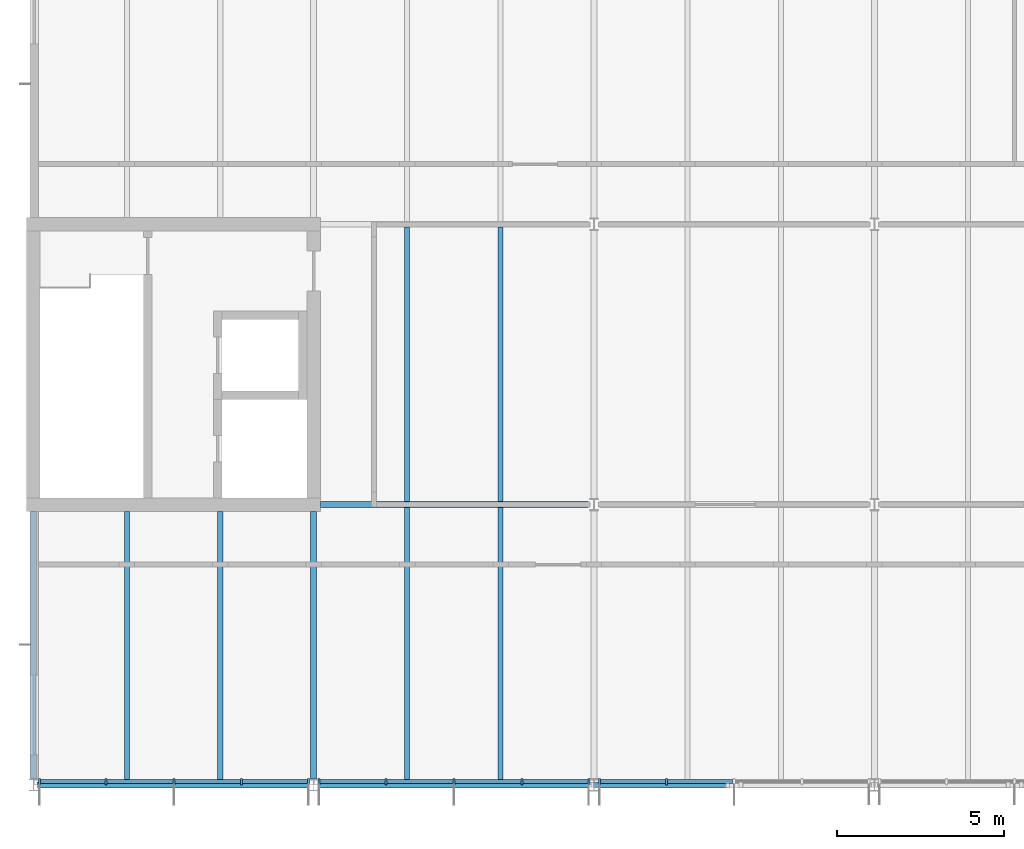
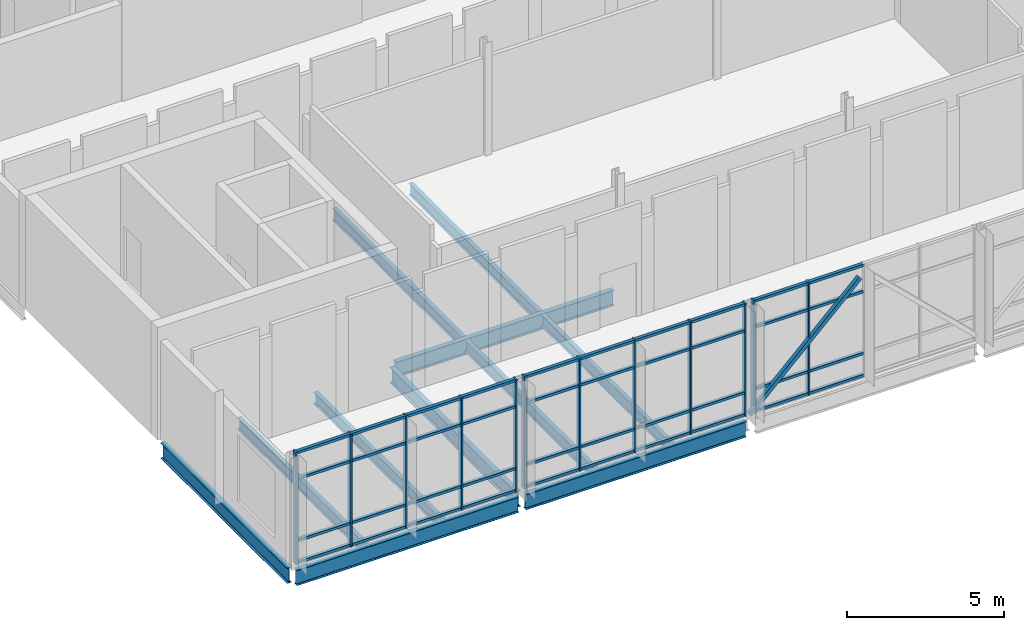
# One storey, part 11 of 72: 53 members, 11 beams, 3 elements without a shape of their own.
"""IFC4 building model written with IfcOpenShell, lengths in metres."""

from ifc_helpers import new_model, si_unit, direction, frame, origin, origin_2d, place, context, subcontext, project, spatial, rectangle, hollow_rectangle, i_section, extrude, material, material_profile, profile_set, type_object, element, aggregate, save


model = new_model("IFC4")

# Units and contexts
model_context = context("Model", 3, precision=1e-05, world=origin(), true_north=direction((0.0, 1.0)))
body_context = subcontext(model_context, "Body", "Model", "MODEL_VIEW")
ifc_project = project(units=[si_unit("LENGTHUNIT", "METRE"), si_unit("AREAUNIT", "SQUARE_METRE"), si_unit("VOLUMEUNIT", "CUBIC_METRE"), si_unit("PLANEANGLEUNIT", "RADIAN"), si_unit("MASSUNIT", "GRAM", prefix="KILO")], contexts=[model_context])

# Site, building, storey
site_placement = place(None, origin())
site = spatial("IfcSite", under=ifc_project, at=site_placement, CompositionType="ELEMENT")
building_placement = place(site_placement, origin())
building = spatial("IfcBuilding", under=site, at=building_placement, Name="Hlaing Beacon Police Headquarters", CompositionType="ELEMENT")
storey_placement = place(building_placement, frame((0.0, 0.0, 14.39990234375)))
storey = spatial("IfcBuildingStorey", under=building, at=storey_placement, Name="L03", CompositionType="ELEMENT", Elevation=14.39990234375)

# Member
ifc_material_1 = material(Name="Steel ASTM A500 Grade C", Category="steel")
ifc_material_profile_1 = material_profile(ifc_material_1, hollow_rectangle(XDim=0.15234375, YDim=0.15234375, WallThickness=0.009521484375, at=origin_2d()), Name="HSS6x6x3/8")
ifc_profile_set_1 = profile_set([ifc_material_profile_1], Name="Steel ASTM A500 Grade C")
member_type_1 = type_object("IfcMemberType", Name="Chevron brace HSS6x6x3/8", PredefinedType="BRACE", material=ifc_profile_set_1)
member_1_placement = place(storey_placement, frame((25.156005859375, 8.39990234375, 0.05517578125), z_axis=(0.719983903196, 0.0, 0.693990763006), x_axis=(0.0, 1.0, 0.0)))
element("IfcMember", 1, at=member_1_placement, inside=storey, type_object=member_type_1, Name="STR-BR-L03-2Da", PredefinedType="BRACE", context=body_context, shape_type="SweptSolid", body=[
    extrude(hollow_rectangle(XDim=0.15234375, YDim=0.15234375, WallThickness=0.009521484375, at=origin_2d()), origin(), (0.0, 0.0, 1.0), 5.61669921875),
])

# Beams
ifc_material_2 = material(Name="Steel ASTM A992 Grade 50", Category="steel")
ifc_material_profile_2 = material_profile(ifc_material_2, i_section(OverallWidth=0.177978515625, OverallDepth=0.599365234375, WebThickness=0.010009765625, FlangeThickness=0.012939453125, FilletRadius=0.012939453125, at=origin_2d()), Name="W24x55")
ifc_profile_set_2 = profile_set([ifc_material_profile_2], Name="Steel ASTM A992 Grade 50")
beam_type_1 = type_object("IfcBeamType", Name="Girder W24x55", PredefinedType="BEAM", material=ifc_profile_set_2)
beam_1_placement = place(storey_placement, frame((8.527099609375, 8.39990234375, -0.4296875), z_axis=(1.0, 0.0, 0.0), x_axis=(0.0, 1.0, 0.0)))
element("IfcBeam", 2, at=beam_1_placement, inside=storey, type_object=beam_type_1, Name="STR-BM-L03-GX-B2-C2", PredefinedType="BEAM", context=body_context, shape_type="SweptSolid", body=[
    extrude(i_section(OverallWidth=0.177978515625, OverallDepth=0.599365234375, WebThickness=0.010009765625, FlangeThickness=0.012939453125, FilletRadius=0.012939453125, at=origin_2d()), origin(), (0.0, 0.0, 1.0), 8.14501953125),
])
beam_2_placement = place(storey_placement, frame((16.927978515625, 8.39990234375, -0.4296875), z_axis=(1.0, 0.0, 0.0), x_axis=(0.0, 1.0, 0.0)))
element("IfcBeam", 3, at=beam_2_placement, inside=storey, type_object=beam_type_1, Name="STR-BM-L03-GX-C2-D2", PredefinedType="BEAM", context=body_context, shape_type="SweptSolid", body=[
    extrude(i_section(OverallWidth=0.177978515625, OverallDepth=0.599365234375, WebThickness=0.010009765625, FlangeThickness=0.012939453125, FilletRadius=0.012939453125, at=origin_2d()), origin(), (0.0, 0.0, 1.0), 8.0869140625),
])
beam_3_placement = place(storey_placement, frame((17.0, 16.800048828125, -0.4296875), z_axis=(1.0, 0.0, 0.0), x_axis=(0.0, 1.0, 0.0)))
element("IfcBeam", 4, at=beam_3_placement, inside=storey, type_object=beam_type_1, Name="STR-BM-L03-GX-C3-D3", PredefinedType="BEAM", context=body_context, shape_type="SweptSolid", body=[
    extrude(i_section(OverallWidth=0.177978515625, OverallDepth=0.599365234375, WebThickness=0.010009765625, FlangeThickness=0.012939453125, FilletRadius=0.012939453125, at=origin_2d()), origin(), (0.0, 0.0, 1.0), 8.014892578125),
])
beam_4_placement = place(storey_placement, frame((8.39990234375, 8.576904296875, -0.4296875), z_axis=(0.0, 1.0, 0.0), x_axis=(-1.0, 0.0, 0.0)))
element("IfcBeam", 5, at=beam_4_placement, inside=storey, type_object=beam_type_1, Name="STR-BM-L03-GY-B2-B3", PredefinedType="BEAM", context=body_context, shape_type="SweptSolid", body=[
    extrude(i_section(OverallWidth=0.177978515625, OverallDepth=0.599365234375, WebThickness=0.010009765625, FlangeThickness=0.012939453125, FilletRadius=0.012939453125, at=origin_2d()), origin(), (0.0, 0.0, 1.0), 8.023193359375),
])
beam_5_placement = place(storey_placement, frame((16.800048828125, 8.580078125, -0.4296875), z_axis=(0.0, 1.0, 0.0), x_axis=(-1.0, 0.0, 0.0)))
element("IfcBeam", 6, at=beam_5_placement, inside=storey, type_object=beam_type_1, Name="STR-BM-L03-GY-C2-C3", PredefinedType="BEAM", context=body_context, shape_type="SweptSolid", body=[
    extrude(i_section(OverallWidth=0.177978515625, OverallDepth=0.599365234375, WebThickness=0.010009765625, FlangeThickness=0.012939453125, FilletRadius=0.012939453125, at=origin_2d()), origin(), (0.0, 0.0, 1.0), 8.02001953125),
])

# Curtain wall, members
ifc_material_3 = material(Name="Aluminium frame with solar control glazing", Category="aluminium")
curtain_wall_type_1 = type_object("IfcCurtainWallType", Name="Unitised curtain wall 8.12 x 4.37", PredefinedType="NOTDEFINED", material=ifc_material_3)
curtain_wall_1_placement = place(storey_placement, origin())
curtain_wall_1 = element("IfcCurtainWall", 7, at=curtain_wall_1_placement, inside=storey, type_object=curtain_wall_type_1, Name="ENV-CW-L03-S015", PredefinedType="NOTDEFINED")
ifc_material_4 = material(Name="Aluminium", Category="aluminium")
ifc_material_profile_3 = material_profile(ifc_material_4, rectangle(XDim=0.199951171875, YDim=0.06005859375, at=origin_2d()), Name="Mullion 60x200")
ifc_profile_set_3 = profile_set([ifc_material_profile_3], Name="Aluminium")
member_type_2 = type_object("IfcMemberType", Name="Mullion 60x200", PredefinedType="MULLION", material=ifc_profile_set_3)
member_2_placement = place(storey_placement, frame((8.580078125, 8.5, 0.0), z_axis=(0.0, 0.0, 1.0), x_axis=(0.0, 1.0, 0.0)))
member_2 = element("IfcMember", 8, at=member_2_placement, type_object=member_type_2, Name="CW-L03-S015 mullion 1", PredefinedType="MULLION", context=body_context, shape_type="SweptSolid", body=[
    extrude(rectangle(XDim=0.199951171875, YDim=0.06005859375, at=origin_2d()), origin(), (0.0, 0.0, 1.0), 4.3701171875),
])
member_3_placement = place(storey_placement, frame((10.580810546875, 8.5, 0.0), z_axis=(0.0, 0.0, 1.0), x_axis=(0.0, 1.0, 0.0)))
member_3 = element("IfcMember", 9, at=member_3_placement, type_object=member_type_2, Name="CW-L03-S015 mullion 2", PredefinedType="MULLION", context=body_context, shape_type="SweptSolid", body=[
    extrude(rectangle(XDim=0.199951171875, YDim=0.06005859375, at=origin_2d()), origin(), (0.0, 0.0, 1.0), 4.3701171875),
])
member_4_placement = place(storey_placement, frame((12.611572265625, 8.5, 0.0), z_axis=(0.0, 0.0, 1.0), x_axis=(0.0, 1.0, 0.0)))
member_4 = element("IfcMember", 10, at=member_4_placement, type_object=member_type_2, Name="CW-L03-S015 mullion 3", PredefinedType="MULLION", context=body_context, shape_type="SweptSolid", body=[
    extrude(rectangle(XDim=0.199951171875, YDim=0.06005859375, at=origin_2d()), origin(), (0.0, 0.0, 1.0), 4.3701171875),
])
member_5_placement = place(storey_placement, frame((14.642333984375, 8.5, 0.0), z_axis=(0.0, 0.0, 1.0), x_axis=(0.0, 1.0, 0.0)))
member_5 = element("IfcMember", 11, at=member_5_placement, type_object=member_type_2, Name="CW-L03-S015 mullion 4", PredefinedType="MULLION", context=body_context, shape_type="SweptSolid", body=[
    extrude(rectangle(XDim=0.199951171875, YDim=0.06005859375, at=origin_2d()), origin(), (0.0, 0.0, 1.0), 4.3701171875),
])
member_6_placement = place(storey_placement, frame((16.64306640625, 8.5, 0.0), z_axis=(0.0, 0.0, 1.0), x_axis=(0.0, 1.0, 0.0)))
member_6 = element("IfcMember", 12, at=member_6_placement, type_object=member_type_2, Name="CW-L03-S015 mullion 5", PredefinedType="MULLION", context=body_context, shape_type="SweptSolid", body=[
    extrude(rectangle(XDim=0.199951171875, YDim=0.06005859375, at=origin_2d()), origin(), (0.0, 0.0, 1.0), 4.3701171875),
])

ifc_material_5 = material(Name="Aluminium frame with solar control glazing", Category="aluminium")
curtain_wall_type_2 = type_object("IfcCurtainWallType", Name="Unitised curtain wall 8.14 x 4.37", PredefinedType="NOTDEFINED", material=ifc_material_5)
curtain_wall_2_placement = place(storey_placement, origin())
curtain_wall_2 = element("IfcCurtainWall", 13, at=curtain_wall_2_placement, inside=storey, type_object=curtain_wall_type_2, Name="ENV-CW-L03-S016", PredefinedType="NOTDEFINED")
member_7_placement = place(storey_placement, frame((16.95703125, 8.5, 0.0), z_axis=(0.0, 0.0, 1.0), x_axis=(0.0, 1.0, 0.0)))
member_7 = element("IfcMember", 14, at=member_7_placement, type_object=member_type_2, Name="CW-L03-S016 mullion 1", PredefinedType="MULLION", context=body_context, shape_type="SweptSolid", body=[
    extrude(rectangle(XDim=0.199951171875, YDim=0.06005859375, at=origin_2d()), origin(), (0.0, 0.0, 1.0), 4.3701171875),
])
member_8_placement = place(storey_placement, frame((18.963134765625, 8.5, 0.0), z_axis=(0.0, 0.0, 1.0), x_axis=(0.0, 1.0, 0.0)))
member_8 = element("IfcMember", 15, at=member_8_placement, type_object=member_type_2, Name="CW-L03-S016 mullion 2", PredefinedType="MULLION", context=body_context, shape_type="SweptSolid", body=[
    extrude(rectangle(XDim=0.199951171875, YDim=0.06005859375, at=origin_2d()), origin(), (0.0, 0.0, 1.0), 4.3701171875),
])
member_9_placement = place(storey_placement, frame((20.999267578125, 8.5, 0.0), z_axis=(0.0, 0.0, 1.0), x_axis=(0.0, 1.0, 0.0)))
member_9 = element("IfcMember", 16, at=member_9_placement, type_object=member_type_2, Name="CW-L03-S016 mullion 3", PredefinedType="MULLION", context=body_context, shape_type="SweptSolid", body=[
    extrude(rectangle(XDim=0.199951171875, YDim=0.06005859375, at=origin_2d()), origin(), (0.0, 0.0, 1.0), 4.3701171875),
])
member_10_placement = place(storey_placement, frame((23.03564453125, 8.5, 0.0), z_axis=(0.0, 0.0, 1.0), x_axis=(0.0, 1.0, 0.0)))
member_10 = element("IfcMember", 17, at=member_10_placement, type_object=member_type_2, Name="CW-L03-S016 mullion 4", PredefinedType="MULLION", context=body_context, shape_type="SweptSolid", body=[
    extrude(rectangle(XDim=0.199951171875, YDim=0.06005859375, at=origin_2d()), origin(), (0.0, 0.0, 1.0), 4.3701171875),
])
member_11_placement = place(storey_placement, frame((25.041748046875, 8.5, 0.0), z_axis=(0.0, 0.0, 1.0), x_axis=(0.0, 1.0, 0.0)))
member_11 = element("IfcMember", 18, at=member_11_placement, type_object=member_type_2, Name="CW-L03-S016 mullion 5", PredefinedType="MULLION", context=body_context, shape_type="SweptSolid", body=[
    extrude(rectangle(XDim=0.199951171875, YDim=0.06005859375, at=origin_2d()), origin(), (0.0, 0.0, 1.0), 4.3701171875),
])

curtain_wall_3_placement = place(storey_placement, origin())
curtain_wall_3 = element("IfcCurtainWall", 19, at=curtain_wall_3_placement, inside=storey, type_object=curtain_wall_type_2, Name="ENV-CW-L03-S017", PredefinedType="NOTDEFINED")
member_12_placement = place(storey_placement, frame((25.3583984375, 8.5, 0.0), z_axis=(0.0, 0.0, 1.0), x_axis=(0.0, 1.0, 0.0)))
member_12 = element("IfcMember", 20, at=member_12_placement, type_object=member_type_2, Name="CW-L03-S017 mullion 1", PredefinedType="MULLION", context=body_context, shape_type="SweptSolid", body=[
    extrude(rectangle(XDim=0.199951171875, YDim=0.06005859375, at=origin_2d()), origin(), (0.0, 0.0, 1.0), 4.3701171875),
])
member_13_placement = place(storey_placement, frame((27.3642578125, 8.5, 0.0), z_axis=(0.0, 0.0, 1.0), x_axis=(0.0, 1.0, 0.0)))
member_13 = element("IfcMember", 21, at=member_13_placement, type_object=member_type_2, Name="CW-L03-S017 mullion 2", PredefinedType="MULLION", context=body_context, shape_type="SweptSolid", body=[
    extrude(rectangle(XDim=0.199951171875, YDim=0.06005859375, at=origin_2d()), origin(), (0.0, 0.0, 1.0), 4.3701171875),
])

# Beams
ifc_material_6 = material(Name="Steel ASTM A992 Grade 50", Category="steel")
ifc_material_profile_4 = material_profile(ifc_material_6, i_section(OverallWidth=0.15234375, OverallDepth=0.449462890625, WebThickness=0.007568359375, FlangeThickness=0.0107421875, FilletRadius=0.01025390625, at=origin_2d()), Name="W18x35")
ifc_profile_set_4 = profile_set([ifc_material_profile_4], Name="Steel ASTM A992 Grade 50")
beam_type_2 = type_object("IfcBeamType", Name="Secondary beam W18x35", PredefinedType="BEAM", material=ifc_profile_set_4)
for number, where, z_axis, x_axis, name in (
    (22, (11.199951171875, 8.489013671875, -0.354736328125), (0.0, 1.0, 0.0), (-1.0, 0.0, 0.0), "STR-BM-L03-SB-B2-y1"),
    (23, (14.0, 8.489013671875, -0.354736328125), (0.0, 1.0, 0.0), (-1.0, 0.0, 0.0), "STR-BM-L03-SB-B2-y2"),
):
    element("IfcBeam", number, at=place(storey_placement, frame(where, z_axis=z_axis, x_axis=x_axis)), inside=storey, type_object=beam_type_2, Name=name, PredefinedType="BEAM", context=body_context, shape_type="SweptSolid", body=[
        extrude(i_section(OverallWidth=0.15234375, OverallDepth=0.449462890625, WebThickness=0.007568359375, FlangeThickness=0.0107421875, FilletRadius=0.01025390625, at=origin_2d()), origin(), (0.0, 0.0, 1.0), 8.111083984375),
    ])
for number, where, z_axis, x_axis, name in (
    (24, (19.60009765625, 8.489013671875, -0.354736328125), (0.0, 1.0, 0.0), (-1.0, 0.0, 0.0), "STR-BM-L03-SB-C2-y1"),
    (25, (22.39990234375, 8.489013671875, -0.354736328125), (0.0, 1.0, 0.0), (-1.0, 0.0, 0.0), "STR-BM-L03-SB-C2-y2"),
):
    element("IfcBeam", number, at=place(storey_placement, frame(where, z_axis=z_axis, x_axis=x_axis)), inside=storey, type_object=beam_type_2, Name=name, PredefinedType="BEAM", context=body_context, shape_type="SweptSolid", body=[
        extrude(i_section(OverallWidth=0.15234375, OverallDepth=0.449462890625, WebThickness=0.007568359375, FlangeThickness=0.0107421875, FilletRadius=0.01025390625, at=origin_2d()), origin(), (0.0, 0.0, 1.0), 8.221923828125),
    ])
for number, where, z_axis, x_axis, name in (
    (26, (19.60009765625, 16.888916015625, -0.354736328125), (0.0, 1.0, 0.0), (-1.0, 0.0, 0.0), "STR-BM-L03-SB-C3-y1"),
    (27, (22.39990234375, 16.888916015625, -0.354736328125), (0.0, 1.0, 0.0), (-1.0, 0.0, 0.0), "STR-BM-L03-SB-C3-y2"),
):
    element("IfcBeam", number, at=place(storey_placement, frame(where, z_axis=z_axis, x_axis=x_axis)), inside=storey, type_object=beam_type_2, Name=name, PredefinedType="BEAM", context=body_context, shape_type="SweptSolid", body=[
        extrude(i_section(OverallWidth=0.15234375, OverallDepth=0.449462890625, WebThickness=0.007568359375, FlangeThickness=0.0107421875, FilletRadius=0.01025390625, at=origin_2d()), origin(), (0.0, 0.0, 1.0), 8.22216796875),
    ])

# Member
ifc_material_7 = material(Name="Aluminium", Category="aluminium")
ifc_material_profile_5 = material_profile(ifc_material_7, rectangle(XDim=0.1201171875, YDim=0.10009765625, at=origin_2d()), Name="Transom 120x100")
ifc_profile_set_5 = profile_set([ifc_material_profile_5], Name="Aluminium")
member_type_3 = type_object("IfcMemberType", Name="Transom 120x100", PredefinedType="USERDEFINED", material=ifc_profile_set_5)
member_14_placement = place(storey_placement, frame((8.610107421875, 8.5, 0.050048828125), z_axis=(1.0, 0.0, 0.0), x_axis=(0.0, 1.0, 0.0)))
member_14 = element("IfcMember", 28, at=member_14_placement, type_object=member_type_3, Name="CW-L03-S015 transom 1.1", ObjectType="TRANSOM", PredefinedType="USERDEFINED", context=body_context, shape_type="SweptSolid", body=[
    extrude(rectangle(XDim=0.1201171875, YDim=0.10009765625, at=origin_2d()), origin(), (0.0, 0.0, 1.0), 1.940673828125),
])

member_15_placement = place(storey_placement, frame((8.610107421875, 8.5, 0.900146484375), z_axis=(1.0, 0.0, 0.0), x_axis=(0.0, 1.0, 0.0)))
member_15 = element("IfcMember", 29, at=member_15_placement, type_object=member_type_3, Name="CW-L03-S015 transom 1.2", ObjectType="TRANSOM", PredefinedType="USERDEFINED", context=body_context, shape_type="SweptSolid", body=[
    extrude(rectangle(XDim=0.1201171875, YDim=0.10009765625, at=origin_2d()), origin(), (0.0, 0.0, 1.0), 1.940673828125),
])

member_16_placement = place(storey_placement, frame((8.610107421875, 8.5, 3.300048828125), z_axis=(1.0, 0.0, 0.0), x_axis=(0.0, 1.0, 0.0)))
member_16 = element("IfcMember", 30, at=member_16_placement, type_object=member_type_3, Name="CW-L03-S015 transom 1.3", ObjectType="TRANSOM", PredefinedType="USERDEFINED", context=body_context, shape_type="SweptSolid", body=[
    extrude(rectangle(XDim=0.1201171875, YDim=0.10009765625, at=origin_2d()), origin(), (0.0, 0.0, 1.0), 1.940673828125),
])

member_17_placement = place(storey_placement, frame((8.610107421875, 8.5, 4.320068359375), z_axis=(1.0, 0.0, 0.0), x_axis=(0.0, 1.0, 0.0)))
member_17 = element("IfcMember", 31, at=member_17_placement, type_object=member_type_3, Name="CW-L03-S015 transom 1.4", ObjectType="TRANSOM", PredefinedType="USERDEFINED", context=body_context, shape_type="SweptSolid", body=[
    extrude(rectangle(XDim=0.1201171875, YDim=0.10009765625, at=origin_2d()), origin(), (0.0, 0.0, 1.0), 1.940673828125),
])

member_18_placement = place(storey_placement, frame((10.61083984375, 8.5, 0.050048828125), z_axis=(1.0, 0.0, 0.0), x_axis=(0.0, 1.0, 0.0)))
member_18 = element("IfcMember", 32, at=member_18_placement, type_object=member_type_3, Name="CW-L03-S015 transom 2.1", ObjectType="TRANSOM", PredefinedType="USERDEFINED", context=body_context, shape_type="SweptSolid", body=[
    extrude(rectangle(XDim=0.1201171875, YDim=0.10009765625, at=origin_2d()), origin(), (0.0, 0.0, 1.0), 1.970703125),
])

member_19_placement = place(storey_placement, frame((10.61083984375, 8.5, 0.900146484375), z_axis=(1.0, 0.0, 0.0), x_axis=(0.0, 1.0, 0.0)))
member_19 = element("IfcMember", 33, at=member_19_placement, type_object=member_type_3, Name="CW-L03-S015 transom 2.2", ObjectType="TRANSOM", PredefinedType="USERDEFINED", context=body_context, shape_type="SweptSolid", body=[
    extrude(rectangle(XDim=0.1201171875, YDim=0.10009765625, at=origin_2d()), origin(), (0.0, 0.0, 1.0), 1.970703125),
])

member_20_placement = place(storey_placement, frame((10.61083984375, 8.5, 3.300048828125), z_axis=(1.0, 0.0, 0.0), x_axis=(0.0, 1.0, 0.0)))
member_20 = element("IfcMember", 34, at=member_20_placement, type_object=member_type_3, Name="CW-L03-S015 transom 2.3", ObjectType="TRANSOM", PredefinedType="USERDEFINED", context=body_context, shape_type="SweptSolid", body=[
    extrude(rectangle(XDim=0.1201171875, YDim=0.10009765625, at=origin_2d()), origin(), (0.0, 0.0, 1.0), 1.970703125),
])

member_21_placement = place(storey_placement, frame((10.61083984375, 8.5, 4.320068359375), z_axis=(1.0, 0.0, 0.0), x_axis=(0.0, 1.0, 0.0)))
member_21 = element("IfcMember", 35, at=member_21_placement, type_object=member_type_3, Name="CW-L03-S015 transom 2.4", ObjectType="TRANSOM", PredefinedType="USERDEFINED", context=body_context, shape_type="SweptSolid", body=[
    extrude(rectangle(XDim=0.1201171875, YDim=0.10009765625, at=origin_2d()), origin(), (0.0, 0.0, 1.0), 1.970703125),
])

member_22_placement = place(storey_placement, frame((12.6416015625, 8.5, 0.050048828125), z_axis=(1.0, 0.0, 0.0), x_axis=(0.0, 1.0, 0.0)))
member_22 = element("IfcMember", 36, at=member_22_placement, type_object=member_type_3, Name="CW-L03-S015 transom 3.1", ObjectType="TRANSOM", PredefinedType="USERDEFINED", context=body_context, shape_type="SweptSolid", body=[
    extrude(rectangle(XDim=0.1201171875, YDim=0.10009765625, at=origin_2d()), origin(), (0.0, 0.0, 1.0), 1.970703125),
])

member_23_placement = place(storey_placement, frame((12.6416015625, 8.5, 0.900146484375), z_axis=(1.0, 0.0, 0.0), x_axis=(0.0, 1.0, 0.0)))
member_23 = element("IfcMember", 37, at=member_23_placement, type_object=member_type_3, Name="CW-L03-S015 transom 3.2", ObjectType="TRANSOM", PredefinedType="USERDEFINED", context=body_context, shape_type="SweptSolid", body=[
    extrude(rectangle(XDim=0.1201171875, YDim=0.10009765625, at=origin_2d()), origin(), (0.0, 0.0, 1.0), 1.970703125),
])

member_24_placement = place(storey_placement, frame((12.6416015625, 8.5, 3.300048828125), z_axis=(1.0, 0.0, 0.0), x_axis=(0.0, 1.0, 0.0)))
member_24 = element("IfcMember", 38, at=member_24_placement, type_object=member_type_3, Name="CW-L03-S015 transom 3.3", ObjectType="TRANSOM", PredefinedType="USERDEFINED", context=body_context, shape_type="SweptSolid", body=[
    extrude(rectangle(XDim=0.1201171875, YDim=0.10009765625, at=origin_2d()), origin(), (0.0, 0.0, 1.0), 1.970703125),
])

member_25_placement = place(storey_placement, frame((12.6416015625, 8.5, 4.320068359375), z_axis=(1.0, 0.0, 0.0), x_axis=(0.0, 1.0, 0.0)))
member_25 = element("IfcMember", 39, at=member_25_placement, type_object=member_type_3, Name="CW-L03-S015 transom 3.4", ObjectType="TRANSOM", PredefinedType="USERDEFINED", context=body_context, shape_type="SweptSolid", body=[
    extrude(rectangle(XDim=0.1201171875, YDim=0.10009765625, at=origin_2d()), origin(), (0.0, 0.0, 1.0), 1.970703125),
])

member_26_placement = place(storey_placement, frame((14.67236328125, 8.5, 0.050048828125), z_axis=(1.0, 0.0, 0.0), x_axis=(0.0, 1.0, 0.0)))
member_26 = element("IfcMember", 40, at=member_26_placement, type_object=member_type_3, Name="CW-L03-S015 transom 4.1", ObjectType="TRANSOM", PredefinedType="USERDEFINED", context=body_context, shape_type="SweptSolid", body=[
    extrude(rectangle(XDim=0.1201171875, YDim=0.10009765625, at=origin_2d()), origin(), (0.0, 0.0, 1.0), 1.940673828125),
])

member_27_placement = place(storey_placement, frame((14.67236328125, 8.5, 0.900146484375), z_axis=(1.0, 0.0, 0.0), x_axis=(0.0, 1.0, 0.0)))
member_27 = element("IfcMember", 41, at=member_27_placement, type_object=member_type_3, Name="CW-L03-S015 transom 4.2", ObjectType="TRANSOM", PredefinedType="USERDEFINED", context=body_context, shape_type="SweptSolid", body=[
    extrude(rectangle(XDim=0.1201171875, YDim=0.10009765625, at=origin_2d()), origin(), (0.0, 0.0, 1.0), 1.940673828125),
])

member_28_placement = place(storey_placement, frame((14.67236328125, 8.5, 3.300048828125), z_axis=(1.0, 0.0, 0.0), x_axis=(0.0, 1.0, 0.0)))
member_28 = element("IfcMember", 42, at=member_28_placement, type_object=member_type_3, Name="CW-L03-S015 transom 4.3", ObjectType="TRANSOM", PredefinedType="USERDEFINED", context=body_context, shape_type="SweptSolid", body=[
    extrude(rectangle(XDim=0.1201171875, YDim=0.10009765625, at=origin_2d()), origin(), (0.0, 0.0, 1.0), 1.940673828125),
])

member_29_placement = place(storey_placement, frame((14.67236328125, 8.5, 4.320068359375), z_axis=(1.0, 0.0, 0.0), x_axis=(0.0, 1.0, 0.0)))
member_29 = element("IfcMember", 43, at=member_29_placement, type_object=member_type_3, Name="CW-L03-S015 transom 4.4", ObjectType="TRANSOM", PredefinedType="USERDEFINED", context=body_context, shape_type="SweptSolid", body=[
    extrude(rectangle(XDim=0.1201171875, YDim=0.10009765625, at=origin_2d()), origin(), (0.0, 0.0, 1.0), 1.940673828125),
])

aggregate(curtain_wall_1, [member_2, member_3, member_4, member_5, member_6, member_14, member_15, member_16, member_17, member_18, member_19, member_20, member_21, member_22, member_23, member_24, member_25, member_26, member_27, member_28, member_29])

member_30_placement = place(storey_placement, frame((16.987060546875, 8.5, 0.050048828125), z_axis=(1.0, 0.0, 0.0), x_axis=(0.0, 1.0, 0.0)))
member_30 = element("IfcMember", 44, at=member_30_placement, type_object=member_type_3, Name="CW-L03-S016 transom 1.1", ObjectType="TRANSOM", PredefinedType="USERDEFINED", context=body_context, shape_type="SweptSolid", body=[
    extrude(rectangle(XDim=0.1201171875, YDim=0.10009765625, at=origin_2d()), origin(), (0.0, 0.0, 1.0), 1.946044921875),
])

member_31_placement = place(storey_placement, frame((16.987060546875, 8.5, 0.900146484375), z_axis=(1.0, 0.0, 0.0), x_axis=(0.0, 1.0, 0.0)))
member_31 = element("IfcMember", 45, at=member_31_placement, type_object=member_type_3, Name="CW-L03-S016 transom 1.2", ObjectType="TRANSOM", PredefinedType="USERDEFINED", context=body_context, shape_type="SweptSolid", body=[
    extrude(rectangle(XDim=0.1201171875, YDim=0.10009765625, at=origin_2d()), origin(), (0.0, 0.0, 1.0), 1.946044921875),
])

member_32_placement = place(storey_placement, frame((16.987060546875, 8.5, 3.300048828125), z_axis=(1.0, 0.0, 0.0), x_axis=(0.0, 1.0, 0.0)))
member_32 = element("IfcMember", 46, at=member_32_placement, type_object=member_type_3, Name="CW-L03-S016 transom 1.3", ObjectType="TRANSOM", PredefinedType="USERDEFINED", context=body_context, shape_type="SweptSolid", body=[
    extrude(rectangle(XDim=0.1201171875, YDim=0.10009765625, at=origin_2d()), origin(), (0.0, 0.0, 1.0), 1.946044921875),
])

member_33_placement = place(storey_placement, frame((16.987060546875, 8.5, 4.320068359375), z_axis=(1.0, 0.0, 0.0), x_axis=(0.0, 1.0, 0.0)))
member_33 = element("IfcMember", 47, at=member_33_placement, type_object=member_type_3, Name="CW-L03-S016 transom 1.4", ObjectType="TRANSOM", PredefinedType="USERDEFINED", context=body_context, shape_type="SweptSolid", body=[
    extrude(rectangle(XDim=0.1201171875, YDim=0.10009765625, at=origin_2d()), origin(), (0.0, 0.0, 1.0), 1.946044921875),
])

member_34_placement = place(storey_placement, frame((18.9931640625, 8.5, 0.050048828125), z_axis=(1.0, 0.0, 0.0), x_axis=(0.0, 1.0, 0.0)))
member_34 = element("IfcMember", 48, at=member_34_placement, type_object=member_type_3, Name="CW-L03-S016 transom 2.1", ObjectType="TRANSOM", PredefinedType="USERDEFINED", context=body_context, shape_type="SweptSolid", body=[
    extrude(rectangle(XDim=0.1201171875, YDim=0.10009765625, at=origin_2d()), origin(), (0.0, 0.0, 1.0), 1.97607421875),
])

member_35_placement = place(storey_placement, frame((18.9931640625, 8.5, 0.900146484375), z_axis=(1.0, 0.0, 0.0), x_axis=(0.0, 1.0, 0.0)))
member_35 = element("IfcMember", 49, at=member_35_placement, type_object=member_type_3, Name="CW-L03-S016 transom 2.2", ObjectType="TRANSOM", PredefinedType="USERDEFINED", context=body_context, shape_type="SweptSolid", body=[
    extrude(rectangle(XDim=0.1201171875, YDim=0.10009765625, at=origin_2d()), origin(), (0.0, 0.0, 1.0), 1.97607421875),
])

member_36_placement = place(storey_placement, frame((18.9931640625, 8.5, 3.300048828125), z_axis=(1.0, 0.0, 0.0), x_axis=(0.0, 1.0, 0.0)))
member_36 = element("IfcMember", 50, at=member_36_placement, type_object=member_type_3, Name="CW-L03-S016 transom 2.3", ObjectType="TRANSOM", PredefinedType="USERDEFINED", context=body_context, shape_type="SweptSolid", body=[
    extrude(rectangle(XDim=0.1201171875, YDim=0.10009765625, at=origin_2d()), origin(), (0.0, 0.0, 1.0), 1.97607421875),
])

member_37_placement = place(storey_placement, frame((18.9931640625, 8.5, 4.320068359375), z_axis=(1.0, 0.0, 0.0), x_axis=(0.0, 1.0, 0.0)))
member_37 = element("IfcMember", 51, at=member_37_placement, type_object=member_type_3, Name="CW-L03-S016 transom 2.4", ObjectType="TRANSOM", PredefinedType="USERDEFINED", context=body_context, shape_type="SweptSolid", body=[
    extrude(rectangle(XDim=0.1201171875, YDim=0.10009765625, at=origin_2d()), origin(), (0.0, 0.0, 1.0), 1.97607421875),
])

member_38_placement = place(storey_placement, frame((21.029296875, 8.5, 0.050048828125), z_axis=(1.0, 0.0, 0.0), x_axis=(0.0, 1.0, 0.0)))
member_38 = element("IfcMember", 52, at=member_38_placement, type_object=member_type_3, Name="CW-L03-S016 transom 3.1", ObjectType="TRANSOM", PredefinedType="USERDEFINED", context=body_context, shape_type="SweptSolid", body=[
    extrude(rectangle(XDim=0.1201171875, YDim=0.10009765625, at=origin_2d()), origin(), (0.0, 0.0, 1.0), 1.976318359375),
])

member_39_placement = place(storey_placement, frame((21.029296875, 8.5, 0.900146484375), z_axis=(1.0, 0.0, 0.0), x_axis=(0.0, 1.0, 0.0)))
member_39 = element("IfcMember", 53, at=member_39_placement, type_object=member_type_3, Name="CW-L03-S016 transom 3.2", ObjectType="TRANSOM", PredefinedType="USERDEFINED", context=body_context, shape_type="SweptSolid", body=[
    extrude(rectangle(XDim=0.1201171875, YDim=0.10009765625, at=origin_2d()), origin(), (0.0, 0.0, 1.0), 1.976318359375),
])

member_40_placement = place(storey_placement, frame((21.029296875, 8.5, 3.300048828125), z_axis=(1.0, 0.0, 0.0), x_axis=(0.0, 1.0, 0.0)))
member_40 = element("IfcMember", 54, at=member_40_placement, type_object=member_type_3, Name="CW-L03-S016 transom 3.3", ObjectType="TRANSOM", PredefinedType="USERDEFINED", context=body_context, shape_type="SweptSolid", body=[
    extrude(rectangle(XDim=0.1201171875, YDim=0.10009765625, at=origin_2d()), origin(), (0.0, 0.0, 1.0), 1.976318359375),
])

member_41_placement = place(storey_placement, frame((21.029296875, 8.5, 4.320068359375), z_axis=(1.0, 0.0, 0.0), x_axis=(0.0, 1.0, 0.0)))
member_41 = element("IfcMember", 55, at=member_41_placement, type_object=member_type_3, Name="CW-L03-S016 transom 3.4", ObjectType="TRANSOM", PredefinedType="USERDEFINED", context=body_context, shape_type="SweptSolid", body=[
    extrude(rectangle(XDim=0.1201171875, YDim=0.10009765625, at=origin_2d()), origin(), (0.0, 0.0, 1.0), 1.976318359375),
])

member_42_placement = place(storey_placement, frame((23.0654296875, 8.5, 0.050048828125), z_axis=(1.0, 0.0, 0.0), x_axis=(0.0, 1.0, 0.0)))
member_42 = element("IfcMember", 56, at=member_42_placement, type_object=member_type_3, Name="CW-L03-S016 transom 4.1", ObjectType="TRANSOM", PredefinedType="USERDEFINED", context=body_context, shape_type="SweptSolid", body=[
    extrude(rectangle(XDim=0.1201171875, YDim=0.10009765625, at=origin_2d()), origin(), (0.0, 0.0, 1.0), 1.9462890625),
])

member_43_placement = place(storey_placement, frame((23.0654296875, 8.5, 0.900146484375), z_axis=(1.0, 0.0, 0.0), x_axis=(0.0, 1.0, 0.0)))
member_43 = element("IfcMember", 57, at=member_43_placement, type_object=member_type_3, Name="CW-L03-S016 transom 4.2", ObjectType="TRANSOM", PredefinedType="USERDEFINED", context=body_context, shape_type="SweptSolid", body=[
    extrude(rectangle(XDim=0.1201171875, YDim=0.10009765625, at=origin_2d()), origin(), (0.0, 0.0, 1.0), 1.9462890625),
])

member_44_placement = place(storey_placement, frame((23.0654296875, 8.5, 3.300048828125), z_axis=(1.0, 0.0, 0.0), x_axis=(0.0, 1.0, 0.0)))
member_44 = element("IfcMember", 58, at=member_44_placement, type_object=member_type_3, Name="CW-L03-S016 transom 4.3", ObjectType="TRANSOM", PredefinedType="USERDEFINED", context=body_context, shape_type="SweptSolid", body=[
    extrude(rectangle(XDim=0.1201171875, YDim=0.10009765625, at=origin_2d()), origin(), (0.0, 0.0, 1.0), 1.9462890625),
])

member_45_placement = place(storey_placement, frame((23.0654296875, 8.5, 4.320068359375), z_axis=(1.0, 0.0, 0.0), x_axis=(0.0, 1.0, 0.0)))
member_45 = element("IfcMember", 59, at=member_45_placement, type_object=member_type_3, Name="CW-L03-S016 transom 4.4", ObjectType="TRANSOM", PredefinedType="USERDEFINED", context=body_context, shape_type="SweptSolid", body=[
    extrude(rectangle(XDim=0.1201171875, YDim=0.10009765625, at=origin_2d()), origin(), (0.0, 0.0, 1.0), 1.9462890625),
])

aggregate(curtain_wall_2, [member_7, member_8, member_9, member_10, member_11, member_30, member_31, member_32, member_33, member_34, member_35, member_36, member_37, member_38, member_39, member_40, member_41, member_42, member_43, member_44, member_45])

member_46_placement = place(storey_placement, frame((25.38818359375, 8.5, 0.050048828125), z_axis=(1.0, 0.0, 0.0), x_axis=(0.0, 1.0, 0.0)))
member_46 = element("IfcMember", 60, at=member_46_placement, type_object=member_type_3, Name="CW-L03-S017 transom 1.1", ObjectType="TRANSOM", PredefinedType="USERDEFINED", context=body_context, shape_type="SweptSolid", body=[
    extrude(rectangle(XDim=0.1201171875, YDim=0.10009765625, at=origin_2d()), origin(), (0.0, 0.0, 1.0), 1.946044921875),
])

member_47_placement = place(storey_placement, frame((25.38818359375, 8.5, 0.900146484375), z_axis=(1.0, 0.0, 0.0), x_axis=(0.0, 1.0, 0.0)))
member_47 = element("IfcMember", 61, at=member_47_placement, type_object=member_type_3, Name="CW-L03-S017 transom 1.2", ObjectType="TRANSOM", PredefinedType="USERDEFINED", context=body_context, shape_type="SweptSolid", body=[
    extrude(rectangle(XDim=0.1201171875, YDim=0.10009765625, at=origin_2d()), origin(), (0.0, 0.0, 1.0), 1.946044921875),
])

member_48_placement = place(storey_placement, frame((25.38818359375, 8.5, 3.300048828125), z_axis=(1.0, 0.0, 0.0), x_axis=(0.0, 1.0, 0.0)))
member_48 = element("IfcMember", 62, at=member_48_placement, type_object=member_type_3, Name="CW-L03-S017 transom 1.3", ObjectType="TRANSOM", PredefinedType="USERDEFINED", context=body_context, shape_type="SweptSolid", body=[
    extrude(rectangle(XDim=0.1201171875, YDim=0.10009765625, at=origin_2d()), origin(), (0.0, 0.0, 1.0), 1.946044921875),
])

member_49_placement = place(storey_placement, frame((25.38818359375, 8.5, 4.320068359375), z_axis=(1.0, 0.0, 0.0), x_axis=(0.0, 1.0, 0.0)))
member_49 = element("IfcMember", 63, at=member_49_placement, type_object=member_type_3, Name="CW-L03-S017 transom 1.4", ObjectType="TRANSOM", PredefinedType="USERDEFINED", context=body_context, shape_type="SweptSolid", body=[
    extrude(rectangle(XDim=0.1201171875, YDim=0.10009765625, at=origin_2d()), origin(), (0.0, 0.0, 1.0), 1.946044921875),
])

member_50_placement = place(storey_placement, frame((27.39404296875, 8.5, 0.050048828125), z_axis=(1.0, 0.0, 0.0), x_axis=(0.0, 1.0, 0.0)))
member_50 = element("IfcMember", 64, at=member_50_placement, type_object=member_type_3, Name="CW-L03-S017 transom 2.1", ObjectType="TRANSOM", PredefinedType="USERDEFINED", context=body_context, shape_type="SweptSolid", body=[
    extrude(rectangle(XDim=0.1201171875, YDim=0.10009765625, at=origin_2d()), origin(), (0.0, 0.0, 1.0), 1.97607421875),
])

member_51_placement = place(storey_placement, frame((27.39404296875, 8.5, 0.900146484375), z_axis=(1.0, 0.0, 0.0), x_axis=(0.0, 1.0, 0.0)))
member_51 = element("IfcMember", 65, at=member_51_placement, type_object=member_type_3, Name="CW-L03-S017 transom 2.2", ObjectType="TRANSOM", PredefinedType="USERDEFINED", context=body_context, shape_type="SweptSolid", body=[
    extrude(rectangle(XDim=0.1201171875, YDim=0.10009765625, at=origin_2d()), origin(), (0.0, 0.0, 1.0), 1.97607421875),
])

member_52_placement = place(storey_placement, frame((27.39404296875, 8.5, 3.300048828125), z_axis=(1.0, 0.0, 0.0), x_axis=(0.0, 1.0, 0.0)))
member_52 = element("IfcMember", 66, at=member_52_placement, type_object=member_type_3, Name="CW-L03-S017 transom 2.3", ObjectType="TRANSOM", PredefinedType="USERDEFINED", context=body_context, shape_type="SweptSolid", body=[
    extrude(rectangle(XDim=0.1201171875, YDim=0.10009765625, at=origin_2d()), origin(), (0.0, 0.0, 1.0), 1.97607421875),
])

member_53_placement = place(storey_placement, frame((27.39404296875, 8.5, 4.320068359375), z_axis=(1.0, 0.0, 0.0), x_axis=(0.0, 1.0, 0.0)))
member_53 = element("IfcMember", 67, at=member_53_placement, type_object=member_type_3, Name="CW-L03-S017 transom 2.4", ObjectType="TRANSOM", PredefinedType="USERDEFINED", context=body_context, shape_type="SweptSolid", body=[
    extrude(rectangle(XDim=0.1201171875, YDim=0.10009765625, at=origin_2d()), origin(), (0.0, 0.0, 1.0), 1.97607421875),
])

aggregate(curtain_wall_3, [member_12, member_13, member_46, member_47, member_48, member_49, member_50, member_51, member_52, member_53])

save(model, "model.ifc")
